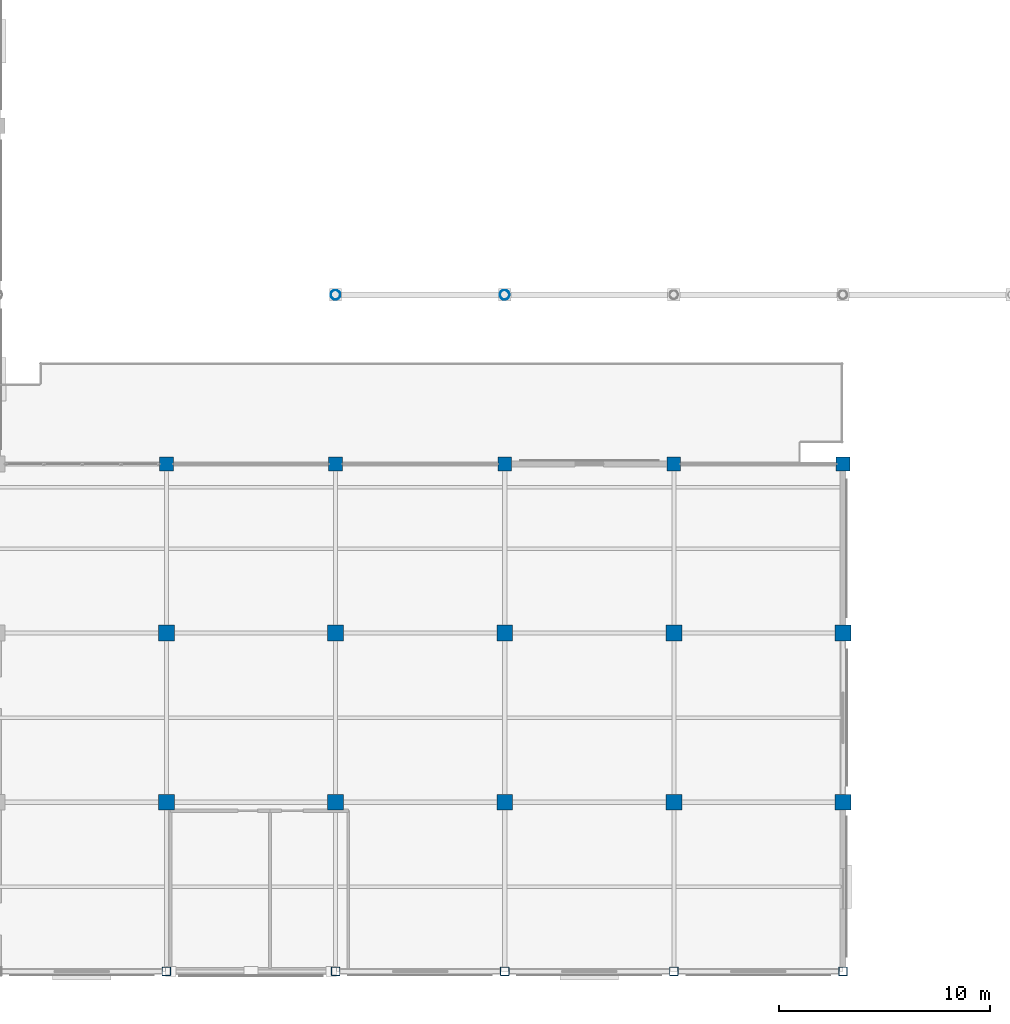
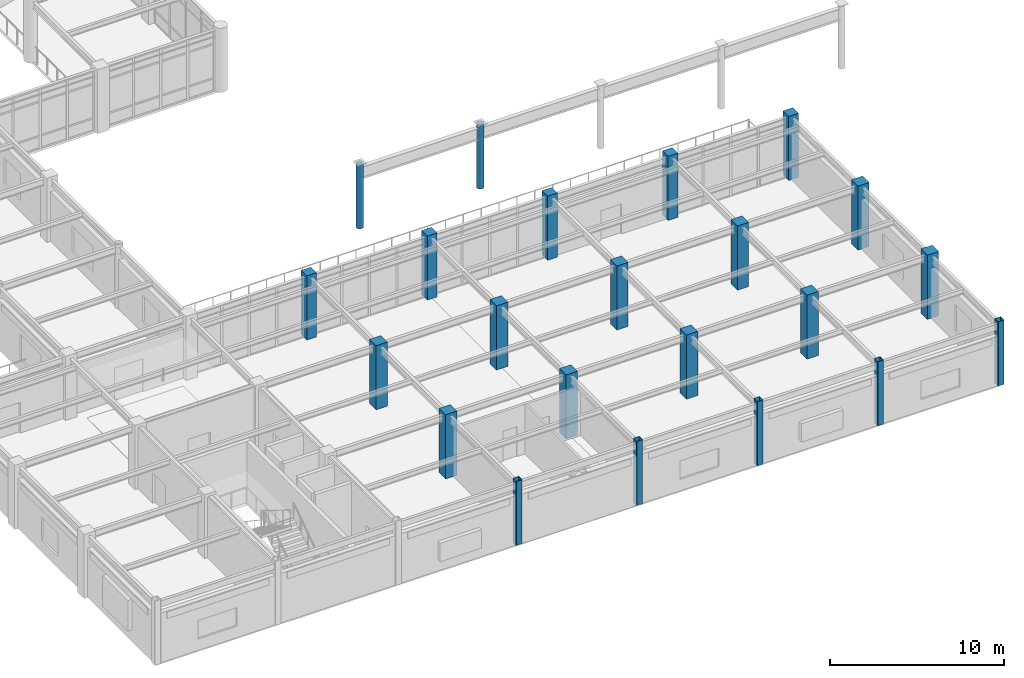
# One storey, part 4 of 78: 22 columns.
"""IFC4 building model written with IfcOpenShell, lengths in metres."""

from ifc_helpers import new_model, si_unit, direction, frame, origin, origin_2d, place, context, subcontext, project, spatial, rectangle, hollow_rectangle, hollow_circle, extrude, material, material_profile, profile_set, type_object, element, save


model = new_model("IFC4")

# Units and contexts
model_context = context("Model", 3, precision=1e-05, world=origin(), true_north=direction((0.0, 1.0)))
body_context = subcontext(model_context, "Body", "Model", "MODEL_VIEW")
ifc_project = project(units=[si_unit("LENGTHUNIT", "METRE"), si_unit("AREAUNIT", "SQUARE_METRE"), si_unit("VOLUMEUNIT", "CUBIC_METRE"), si_unit("PLANEANGLEUNIT", "RADIAN"), si_unit("MASSUNIT", "GRAM", prefix="KILO")], contexts=[model_context])

# Site, building, storey
site_placement = place(None, origin())
site = spatial("IfcSite", under=ifc_project, at=site_placement, CompositionType="ELEMENT")
building_placement = place(site_placement, origin())
building = spatial("IfcBuilding", under=site, at=building_placement, Name="Solmirada Galleria", CompositionType="ELEMENT")
storey_placement = place(building_placement, frame((0.0, 0.0, 23.89990234375)))
storey = spatial("IfcBuildingStorey", under=building, at=storey_placement, Name="L05", CompositionType="ELEMENT", Elevation=23.89990234375)

# Columns
ifc_material_1 = material(Name="Steel S355 / ASTM A500 Grade C", Category="steel")
ifc_material_profile_1 = material_profile(ifc_material_1, hollow_circle(Radius=0.228515625, WallThickness=0.01171875, at=origin_2d()), Name="HSS18.000X0.500")
ifc_profile_set_1 = profile_set([ifc_material_profile_1], Name="Steel S355 / ASTM A500 Grade C")
column_type_1 = type_object("IfcColumnType", Name="COL-CHS18", PredefinedType="COLUMN", material=ifc_profile_set_1)
for number, where, z_axis, x_axis, name in (
    (1, (112.0, 32.0, 0.0), (0.0, 0.0, 1.0), (1.0, 0.0, 0.0), "Structural column L05-0840"),
    (2, (120.0, 32.0, 0.0), (0.0, 0.0, 1.0), (1.0, 0.0, 0.0), "Structural column L05-0957"),
):
    element("IfcColumn", number, at=place(storey_placement, frame(where, z_axis=z_axis, x_axis=x_axis)), inside=storey, type_object=column_type_1, Name=name, PredefinedType="COLUMN", context=body_context, shape_type="SweptSolid", body=[
        extrude(hollow_circle(Radius=0.228515625, WallThickness=0.01171875, at=origin_2d()), origin(), (0.0, 0.0, 1.0), 4.5),
    ])
ifc_material_profile_2 = material_profile(ifc_material_1, hollow_rectangle(XDim=0.406005859375, YDim=0.406005859375, WallThickness=0.0146484375, InnerFilletRadius=0.0146484375, OuterFilletRadius=0.029296875, at=origin_2d()), Name="HSS16X16X5/8")
ifc_profile_set_2 = profile_set([ifc_material_profile_2], Name="Steel S355 / ASTM A500 Grade C")
column_type_2 = type_object("IfcColumnType", Name="COL-HSS16", PredefinedType="COLUMN", material=ifc_profile_set_2)
for number, where, z_axis, x_axis, name in (
    (3, (104.0, 0.0, 0.0), (0.0, 0.0, 1.0), (1.0, 0.0, 0.0), "Structural column L05-0698"),
    (4, (112.0, 0.0, 0.0), (0.0, 0.0, 1.0), (1.0, 0.0, 0.0), "Structural column L05-0809"),
    (5, (120.0, 0.0, 0.0), (0.0, 0.0, 1.0), (1.0, 0.0, 0.0), "Structural column L05-0926"),
    (6, (128.0, 0.0, 0.0), (0.0, 0.0, 1.0), (1.0, 0.0, 0.0), "Structural column L05-1009"),
    (7, (136.0, 0.0, 0.0), (0.0, 0.0, 1.0), (1.0, 0.0, 0.0), "Structural column L05-1110"),
):
    element("IfcColumn", number, at=place(storey_placement, frame(where, z_axis=z_axis, x_axis=x_axis)), inside=storey, type_object=column_type_2, Name=name, PredefinedType="COLUMN", context=body_context, shape_type="SweptSolid", body=[
        extrude(hollow_rectangle(XDim=0.406005859375, YDim=0.406005859375, WallThickness=0.0146484375, InnerFilletRadius=0.0146484375, OuterFilletRadius=0.029296875, at=origin_2d()), origin(), (0.0, 0.0, 1.0), 4.5),
    ])
ifc_material_2 = material(Name="Concrete C40/50", Category="concrete")
ifc_material_profile_3 = material_profile(ifc_material_2, rectangle(XDim=0.64990234375, YDim=0.64990234375, at=origin_2d()), Name="RC650X650")
ifc_profile_set_3 = profile_set([ifc_material_profile_3], Name="Concrete C40/50")
column_type_3 = type_object("IfcColumnType", Name="COL-RC650", PredefinedType="COLUMN", material=ifc_profile_set_3)
for number, where, z_axis, x_axis, name in (
    (8, (104.0, 24.0, 0.0), (0.0, 0.0, 1.0), (1.0, 0.0, 0.0), "Structural column L05-0722"),
    (9, (112.0, 24.0, 0.0), (0.0, 0.0, 1.0), (1.0, 0.0, 0.0), "Structural column L05-0833"),
    (10, (120.0, 24.0, 0.0), (0.0, 0.0, 1.0), (1.0, 0.0, 0.0), "Structural column L05-0950"),
    (11, (128.0, 24.0, 0.0), (0.0, 0.0, 1.0), (1.0, 0.0, 0.0), "Structural column L05-1033"),
    (12, (136.0, 24.0, 0.0), (0.0, 0.0, 1.0), (1.0, 0.0, 0.0), "Structural column L05-1134"),
):
    element("IfcColumn", number, at=place(storey_placement, frame(where, z_axis=z_axis, x_axis=x_axis)), inside=storey, type_object=column_type_3, Name=name, PredefinedType="COLUMN", context=body_context, shape_type="SweptSolid", body=[
        extrude(rectangle(XDim=0.64990234375, YDim=0.64990234375, at=origin_2d()), origin(), (0.0, 0.0, 1.0), 4.5),
    ])
ifc_material_profile_4 = material_profile(ifc_material_2, rectangle(XDim=0.75, YDim=0.75, at=origin_2d()), Name="RC750X750")
ifc_profile_set_4 = profile_set([ifc_material_profile_4], Name="Concrete C40/50")
column_type_4 = type_object("IfcColumnType", Name="COL-RC750", PredefinedType="COLUMN", material=ifc_profile_set_4)
for number, where, z_axis, x_axis, name in (
    (13, (104.0, 8.0, 0.0), (0.0, 0.0, 1.0), (1.0, 0.0, 0.0), "Structural column L05-0706"),
    (14, (104.0, 16.0, 0.0), (0.0, 0.0, 1.0), (1.0, 0.0, 0.0), "Structural column L05-0714"),
    (15, (112.0, 8.0, 0.0), (0.0, 0.0, 1.0), (1.0, 0.0, 0.0), "Structural column L05-0817"),
    (16, (112.0, 16.0, 0.0), (0.0, 0.0, 1.0), (1.0, 0.0, 0.0), "Structural column L05-0825"),
    (17, (120.0, 8.0, 0.0), (0.0, 0.0, 1.0), (1.0, 0.0, 0.0), "Structural column L05-0934"),
    (18, (120.0, 16.0, 0.0), (0.0, 0.0, 1.0), (1.0, 0.0, 0.0), "Structural column L05-0942"),
    (19, (128.0, 8.0, 0.0), (0.0, 0.0, 1.0), (1.0, 0.0, 0.0), "Structural column L05-1017"),
    (20, (128.0, 16.0, 0.0), (0.0, 0.0, 1.0), (1.0, 0.0, 0.0), "Structural column L05-1025"),
    (21, (136.0, 8.0, 0.0), (0.0, 0.0, 1.0), (1.0, 0.0, 0.0), "Structural column L05-1118"),
    (22, (136.0, 16.0, 0.0), (0.0, 0.0, 1.0), (1.0, 0.0, 0.0), "Structural column L05-1126"),
):
    element("IfcColumn", number, at=place(storey_placement, frame(where, z_axis=z_axis, x_axis=x_axis)), inside=storey, type_object=column_type_4, Name=name, PredefinedType="COLUMN", context=body_context, shape_type="SweptSolid", body=[
        extrude(rectangle(XDim=0.75, YDim=0.75, at=origin_2d()), origin(), (0.0, 0.0, 1.0), 4.5),
    ])

save(model, "model.ifc")
